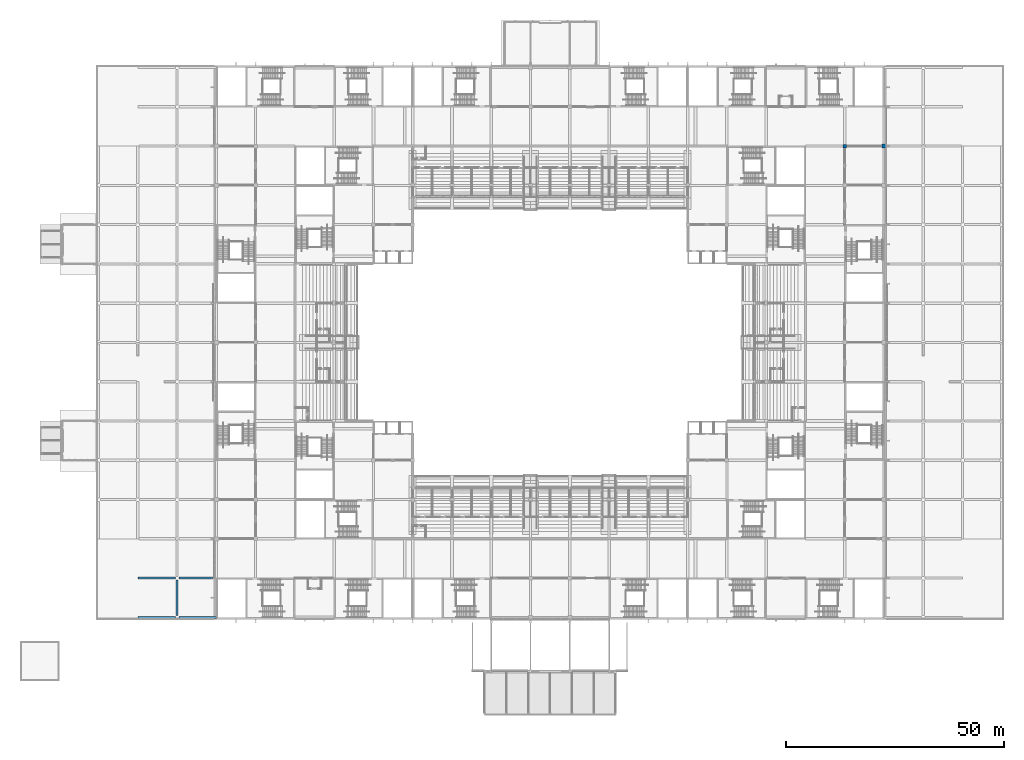
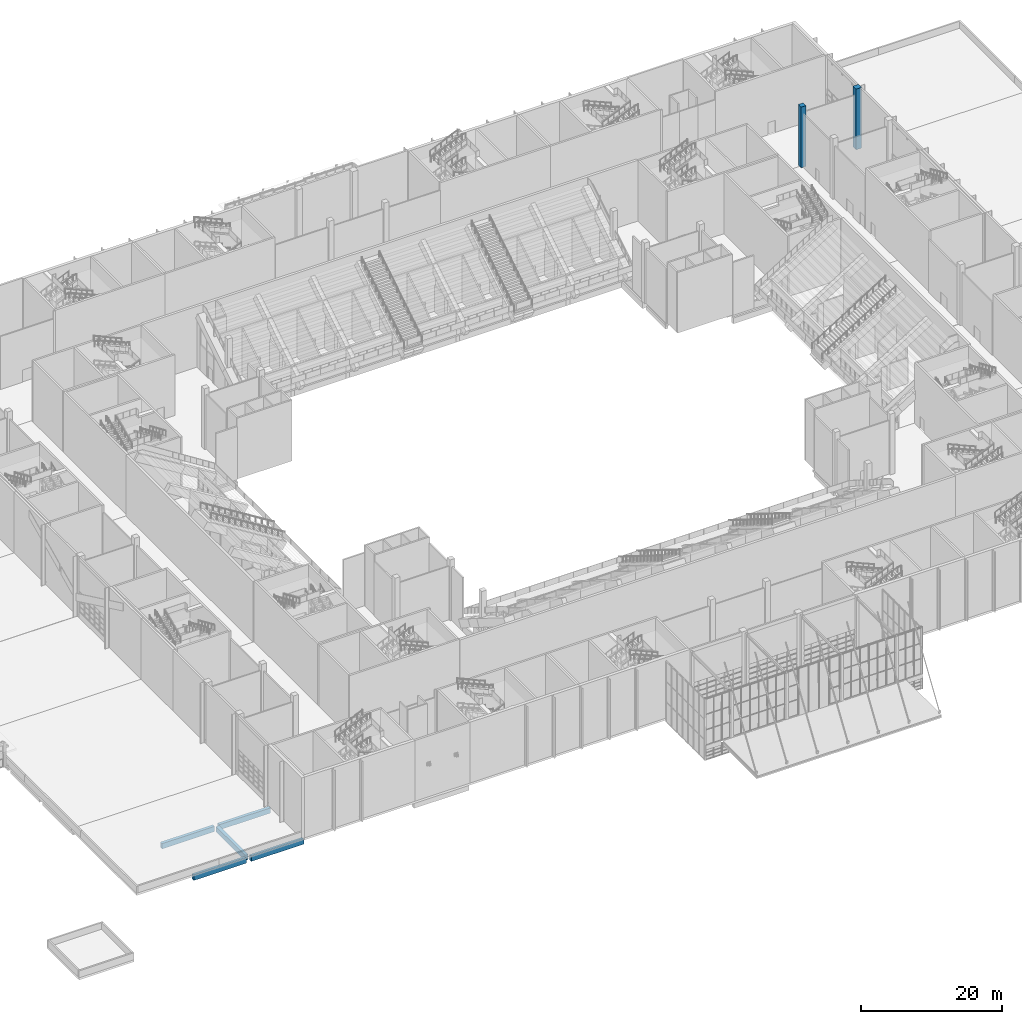
# One storey, part 12 of 182: 5 beams, 2 columns.
"""IFC4 building model written with IfcOpenShell, lengths in metres."""

from ifc_helpers import new_model, si_unit, direction, frame, origin, origin_2d, place, context, subcontext, project, spatial, rectangle, extrude, material, material_profile, profile_set, type_object, element, save


model = new_model("IFC4")

# Units and contexts
model_context = context("Model", 3, precision=1e-05, world=origin(), true_north=direction((0.0, 1.0)))
body_context = subcontext(model_context, "Body", "Model", "MODEL_VIEW")
ifc_project = project(units=[si_unit("LENGTHUNIT", "METRE"), si_unit("AREAUNIT", "SQUARE_METRE"), si_unit("VOLUMEUNIT", "CUBIC_METRE"), si_unit("PLANEANGLEUNIT", "RADIAN"), si_unit("MASSUNIT", "GRAM", prefix="KILO")], contexts=[model_context])

# Site, building, storey
site_placement = place(None, origin())
site = spatial("IfcSite", under=ifc_project, at=site_placement, CompositionType="ELEMENT")
building_placement = place(site_placement, origin())
building = spatial("IfcBuilding", under=site, at=building_placement, Name="Silverbay Arena", CompositionType="ELEMENT")
storey_placement = place(building_placement, frame((0.0, 0.0, 11.5)))
storey = spatial("IfcBuildingStorey", under=building, at=storey_placement, Name="L02", CompositionType="ELEMENT", Elevation=11.5)

# Columns
ifc_material_1 = material(Name="Concrete Grade C45", Category="concrete")
ifc_material_profile_1 = material_profile(ifc_material_1, rectangle(XDim=0.800048828125, YDim=0.800048828125, at=origin_2d()), Name="RC 800x800")
ifc_profile_set_1 = profile_set([ifc_material_profile_1], Name="Concrete Grade C45")
column_type_1 = type_object("IfcColumnType", Name="RC column 800x800", PredefinedType="COLUMN", material=ifc_profile_set_1)
column_1_placement = place(storey_placement, frame((198.0, 126.0, 0.0), z_axis=(0.0, 0.0, 1.0), x_axis=(1.0, 0.0, 0.0)))
element("IfcColumn", 1, at=column_1_placement, inside=storey, type_object=column_type_1, Name="Column 23/Q L02", PredefinedType="COLUMN", context=body_context, shape_type="SweptSolid", body=[
    extrude(rectangle(XDim=0.800048828125, YDim=0.800048828125, at=origin_2d()), origin(), (0.0, 0.0, 1.0), 10.5),
])
ifc_material_2 = material(Name="Concrete Grade C45", Category="concrete")
ifc_material_profile_2 = material_profile(ifc_material_2, rectangle(XDim=0.89990234375, YDim=0.89990234375, at=origin_2d()), Name="RC 900x900")
ifc_profile_set_2 = profile_set([ifc_material_profile_2], Name="Concrete Grade C45")
column_type_2 = type_object("IfcColumnType", Name="RC column 900x900", PredefinedType="COLUMN", material=ifc_profile_set_2)
column_2_placement = place(storey_placement, frame((207.0, 126.0, 0.0), z_axis=(0.0, 0.0, 1.0), x_axis=(1.0, 0.0, 0.0)))
element("IfcColumn", 2, at=column_2_placement, inside=storey, type_object=column_type_2, Name="Column 24/Q L02", PredefinedType="COLUMN", context=body_context, shape_type="SweptSolid", body=[
    extrude(rectangle(XDim=0.89990234375, YDim=0.89990234375, at=origin_2d()), origin(), (0.0, 0.0, 1.0), 10.5),
])

# Beams
ifc_material_3 = material(Name="Concrete Grade C45", Category="concrete")
ifc_material_profile_3 = material_profile(ifc_material_3, rectangle(XDim=0.5, YDim=0.89990234375, at=origin_2d()), Name="RC 500x900")
ifc_profile_set_3 = profile_set([ifc_material_profile_3], Name="Concrete Grade C45")
beam_type = type_object("IfcBeamType", Name="RC beam 500x900", PredefinedType="BEAM", material=ifc_profile_set_3)
for number, where, z_axis, x_axis, name in (
    (3, (36.0, 18.0, -0.800048828125), (1.0, 0.0, 0.0), (0.0, 1.0, 0.0), "Floor beam L02 001"),
    (4, (45.39990234375, 18.0, -0.800048828125), (1.0, 0.0, 0.0), (0.0, 1.0, 0.0), "Floor beam L02 002"),
    (5, (36.0, 27.0, -0.800048828125), (1.0, 0.0, 0.0), (0.0, 1.0, 0.0), "Floor beam L02 010"),
):
    element("IfcBeam", number, at=place(storey_placement, frame(where, z_axis=z_axis, x_axis=x_axis)), inside=storey, type_object=beam_type, Name=name, PredefinedType="BEAM", context=body_context, shape_type="SweptSolid", body=[
        extrude(rectangle(XDim=0.5, YDim=0.89990234375, at=origin_2d()), origin(), (0.0, 0.0, 1.0), 8.60009765625),
    ])
beam_1_placement = place(storey_placement, frame((45.39990234375, 27.0, -0.800048828125), z_axis=(1.0, 0.0, 0.0), x_axis=(0.0, 1.0, 0.0)))
element("IfcBeam", 6, at=beam_1_placement, inside=storey, type_object=beam_type, Name="Floor beam L02 011", PredefinedType="BEAM", context=body_context, shape_type="SweptSolid", body=[
    extrude(rectangle(XDim=0.5, YDim=0.89990234375, at=origin_2d()), origin(), (0.0, 0.0, 1.0), 8.35009765625),
])
beam_2_placement = place(storey_placement, frame((45.0, 18.39990234375, -0.800048828125), z_axis=(0.0, 1.0, 0.0), x_axis=(-1.0, 0.0, 0.0)))
element("IfcBeam", 7, at=beam_2_placement, inside=storey, type_object=beam_type, Name="Floor beam L02 201", PredefinedType="BEAM", context=body_context, shape_type="SweptSolid", body=[
    extrude(rectangle(XDim=0.5, YDim=0.89990234375, at=origin_2d()), origin(), (0.0, 0.0, 1.0), 8.2001953125),
])

save(model, "model.ifc")
